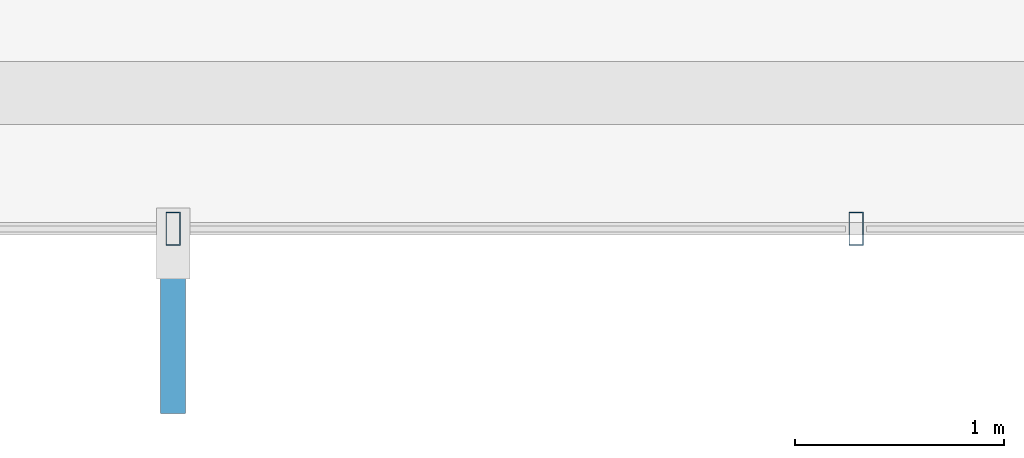
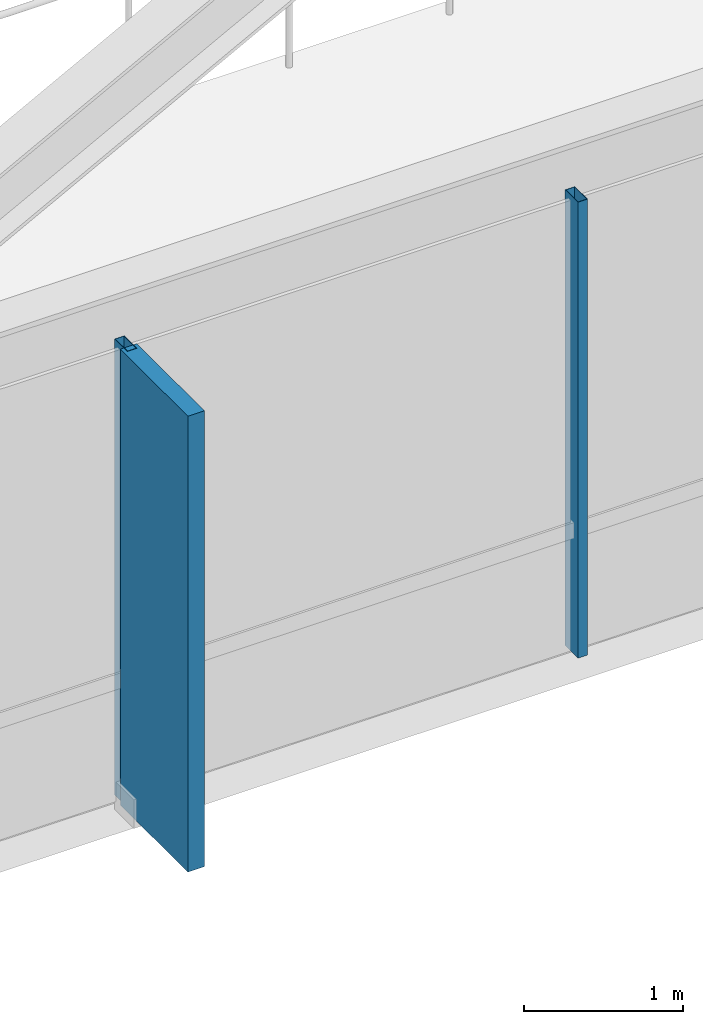
# One storey, part 6 of 28: 3 members, 1 element without a shape of its own.
"""IFC4 building model written with IfcOpenShell, lengths in metres."""

from ifc_helpers import new_model, si_unit, direction, frame, origin, origin_2d, place, context, subcontext, project, spatial, rectangle, hollow_rectangle, extrude, material, layer, layer_set, material_profile, profile_set, type_object, element, aggregate, save


model = new_model("IFC4")

# Units and contexts
model_context = context("Model", 3, precision=1e-05, world=origin(), true_north=direction((0.0, 1.0)))
body_context = subcontext(model_context, "Body", "Model", "MODEL_VIEW")
ifc_project = project(units=[si_unit("LENGTHUNIT", "METRE"), si_unit("AREAUNIT", "SQUARE_METRE"), si_unit("VOLUMEUNIT", "CUBIC_METRE"), si_unit("PLANEANGLEUNIT", "RADIAN"), si_unit("MASSUNIT", "GRAM", prefix="KILO")], contexts=[model_context])

# Site, building, storey
site_placement = place(None, origin())
site = spatial("IfcSite", under=ifc_project, at=site_placement, CompositionType="ELEMENT")
building_placement = place(site_placement, origin())
building = spatial("IfcBuilding", under=site, at=building_placement, Name="Zarrinselat Tower", CompositionType="ELEMENT")
storey_placement = place(building_placement, frame((0.0, 0.0, 145.860107421875)))
storey = spatial("IfcBuildingStorey", under=building, at=storey_placement, Name="L35", CompositionType="ELEMENT", Elevation=145.860107421875)

# Curtain wall, members
ifc_material_1 = material(Name="Extruded Aluminium Alloy EN AW-6063 T6", Category="aluminium")
ifc_layer = layer(ifc_material_1, 0.175048828125)
ifc_layer_set = layer_set([ifc_layer], Name="Extruded Aluminium Alloy EN AW-6063 T6")
curtain_wall_type = type_object("IfcCurtainWallType", Name="CWS-HTL", PredefinedType="NOTDEFINED", material=ifc_layer_set)
curtain_wall_placement = place(storey_placement, origin())
curtain_wall = element("IfcCurtainWall", 1, at=curtain_wall_placement, inside=storey, type_object=curtain_wall_type, Name="L35 Unitised Curtain Wall CW-L35-E04", PredefinedType="NOTDEFINED")
ifc_material_2 = material(Name="Extruded Aluminium Alloy EN AW-6063 T6", Category="aluminium")
ifc_material_profile_1 = material_profile(ifc_material_2, hollow_rectangle(XDim=0.070068359375, YDim=0.159912109375, WallThickness=0.00390625, at=origin_2d()), Name="RHS 160x70x4")
ifc_profile_set_1 = profile_set([ifc_material_profile_1], Name="Extruded Aluminium Alloy EN AW-6063 T6")
member_type_1 = type_object("IfcMemberType", Name="MEM-CW-MUL2", PredefinedType="MULLION", material=ifc_profile_set_1)
member_1_placement = place(storey_placement, frame((33.49169921875, 17.83154296875, 0.0), z_axis=(0.0, 0.0, 1.0), x_axis=(1.0, 0.0, 0.0)))
member_1 = element("IfcMember", 2, at=member_1_placement, type_object=member_type_1, Name="CW-L35-E04 Mullion 1", PredefinedType="MULLION", context=body_context, shape_type="SweptSolid", body=[
    extrude(hollow_rectangle(XDim=0.070068359375, YDim=0.159912109375, WallThickness=0.00390625, at=origin_2d()), origin(), (0.0, 0.0, 1.0), 3.5),
])
member_2_placement = place(storey_placement, frame((36.763916015625, 17.83154296875, 0.0), z_axis=(0.0, 0.0, 1.0), x_axis=(1.0, 0.0, 0.0)))
member_2 = element("IfcMember", 3, at=member_2_placement, type_object=member_type_1, Name="CW-L35-E04 Mullion 2", PredefinedType="MULLION", context=body_context, shape_type="SweptSolid", body=[
    extrude(hollow_rectangle(XDim=0.070068359375, YDim=0.159912109375, WallThickness=0.00390625, at=origin_2d()), origin(), (0.0, 0.0, 1.0), 3.5),
])
ifc_material_3 = material(Name="Honed Cream Travertine Stone", Category="masonry")
ifc_material_profile_2 = material_profile(ifc_material_3, rectangle(XDim=0.1201171875, YDim=0.85009765625, at=origin_2d()), Name="FIN 850x120")
ifc_profile_set_2 = profile_set([ifc_material_profile_2], Name="Honed Cream Travertine Stone")
member_type_2 = type_object("IfcMemberType", Name="MEM-STONE-FIN", PredefinedType="USERDEFINED", material=ifc_profile_set_2)
member_3_placement = place(storey_placement, frame((33.49169921875, 17.37158203125, 0.0), z_axis=(0.0, 0.0, 1.0), x_axis=(-1.0, 0.0, 0.0)))
member_3 = element("IfcMember", 4, at=member_3_placement, type_object=member_type_2, Name="L35 Stone Shading Fin CW-L35-E04-01", ObjectType="FIN", PredefinedType="USERDEFINED", context=body_context, shape_type="SweptSolid", body=[
    extrude(rectangle(XDim=0.1201171875, YDim=0.85009765625, at=origin_2d()), origin(), (0.0, 0.0, 1.0), 3.5),
])
aggregate(curtain_wall, [member_1, member_3, member_2])

save(model, "model.ifc")
